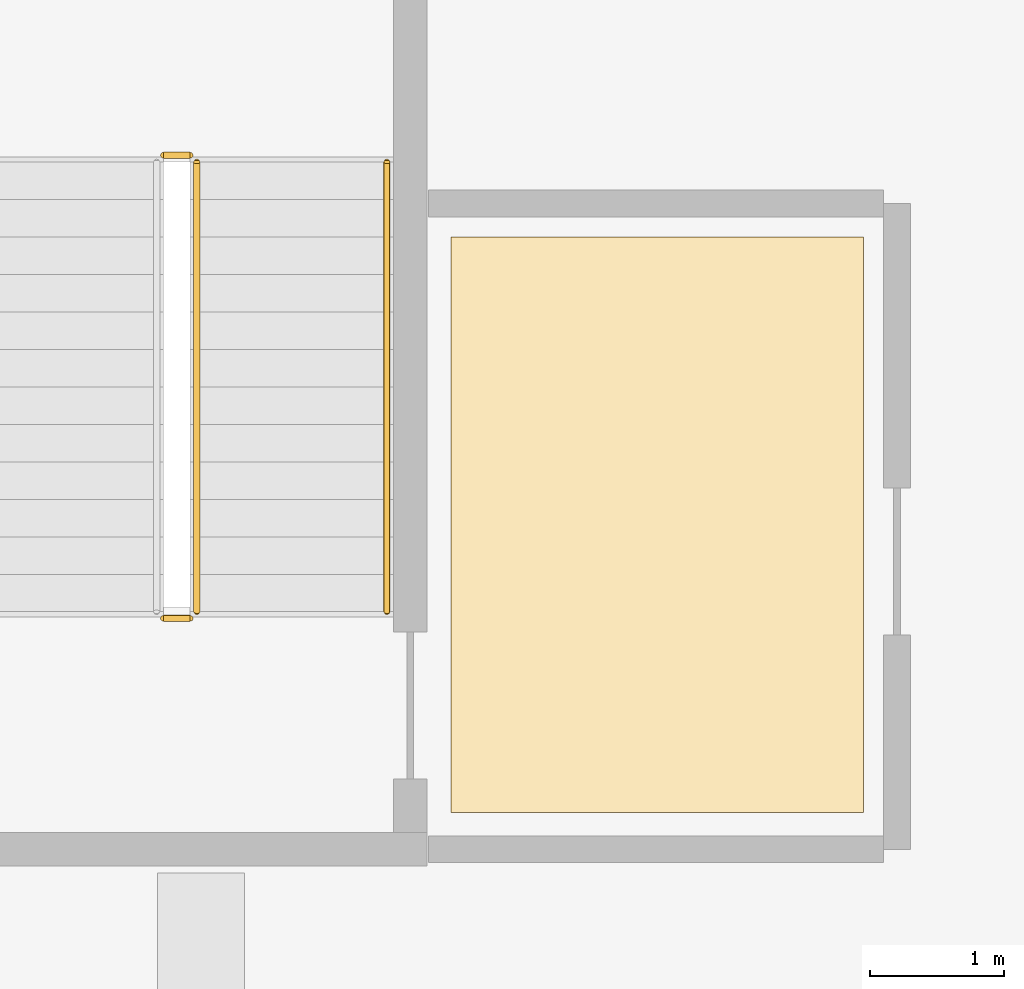
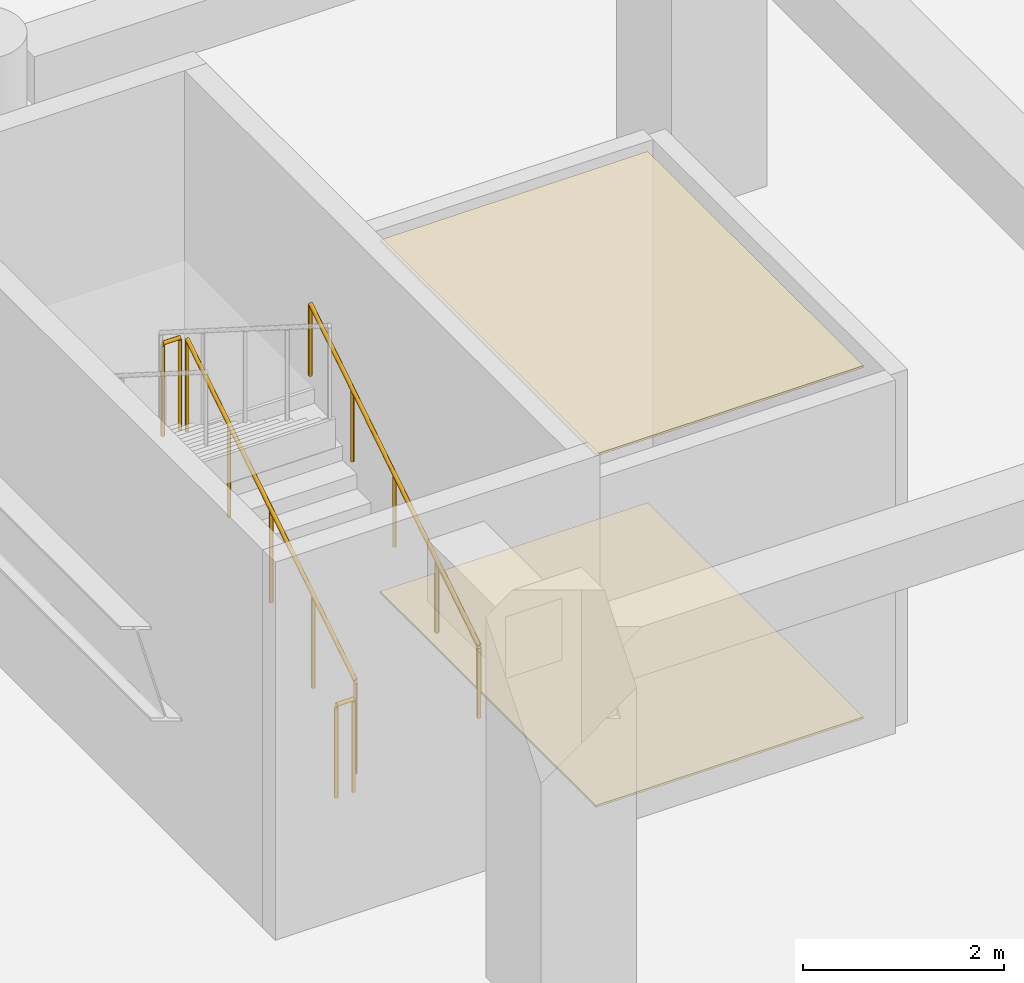
# One storey, part 41 of 45: 4 railings, 2 coverings.
"""IFC4 building model written with IfcOpenShell, lengths in metres."""

import ifcopenshell
import ifcopenshell.guid

model = None  # the IFC model being written
_history = None  # IfcOwnerHistory: only IFC2X3 demands one
_inside = {}  # id of a spatial element -> (the spatial element, [elements in it])
_under = {}  # id of a project, library or spatial element -> (it, [spatial elements below it])
_declared = {}  # id of a project -> (the project, [libraries it declares])
_typed = {}  # id of a type object -> (the type object, [elements of that type])
_made_of = {}  # id of a material, layer set ... -> (it, [elements and type objects made of it])


def new_model(schema):
    """Start an empty IFC model of exactly this schema.

    Asked for "IFC4X3", IfcOpenShell would pick the latest addendum, in which some entities
    have other attributes; the version numbers below select the first issue.
    IFC2X3 requires an IfcOwnerHistory on every rooted entity: one is made here for all.
    """
    global model, _history
    if schema == "IFC4X3":
        model = ifcopenshell.file(schema_version=(4, 3, 0, 0))
    else:
        model = ifcopenshell.file(schema=schema)
    _inside.clear()
    _under.clear()
    _declared.clear()
    _typed.clear()
    _made_of.clear()
    _history = None
    if model.schema == "IFC2X3":
        org = make("IfcOrganization", Name="unknown")
        user = make(
            "IfcPersonAndOrganization",
            ThePerson=make("IfcPerson", FamilyName="unknown"),
            TheOrganization=org,
        )
        app = make(
            "IfcApplication",
            ApplicationDeveloper=org,
            Version="unknown",
            ApplicationFullName="unknown",
            ApplicationIdentifier="unknown",
        )
        _history = make(
            "IfcOwnerHistory",
            OwningUser=user,
            OwningApplication=app,
            ChangeAction="ADDED",
            CreationDate=0,
        )
    return model


def make(cls, **values):
    """One entity of the class cls with the attributes given. An attribute that is None is left unset."""
    return model.create_entity(
        cls, **{name: value for name, value in values.items() if value is not None}
    )


def rooted(cls, **values):
    """An entity with a GlobalId (a new one), such as an element, a storey or a relation."""
    return make(cls, GlobalId=ifcopenshell.guid.new(), OwnerHistory=_history, **values)


def si_unit(unit_type, name, prefix=None):
    """IfcSIUnit, for example si_unit("LENGTHUNIT", "METRE", prefix="MILLI")."""
    return make("IfcSIUnit", UnitType=unit_type, Prefix=prefix, Name=name)


def assignment(units):
    """IfcUnitAssignment: the units of a project."""
    return None if units is None else make("IfcUnitAssignment", Units=units)


def point(xyz):
    """IfcCartesianPoint."""
    return None if xyz is None else make("IfcCartesianPoint", Coordinates=xyz)


def direction(xyz):
    """IfcDirection."""
    return None if xyz is None else make("IfcDirection", DirectionRatios=xyz)


def frame(location, z_axis=None, x_axis=None):
    """IfcAxis2Placement3D, a coordinate frame: its origin and axes. An axis left out is left unset."""
    return make(
        "IfcAxis2Placement3D",
        Location=point(location),
        Axis=direction(z_axis),
        RefDirection=direction(x_axis),
    )


def frame_2d(location, x_axis=None):
    """IfcAxis2Placement2D, a coordinate frame in the plane: its origin and x axis."""
    return make(
        "IfcAxis2Placement2D", Location=point(location), RefDirection=direction(x_axis)
    )


def origin():
    """The frame at (0, 0, 0) with its axes left unset."""
    return frame((0.0, 0.0, 0.0))


def origin_2d():
    """The frame at (0, 0) in the plane with its x axis left unset."""
    return frame_2d((0.0, 0.0))


def place(relative_to, where):
    """IfcLocalPlacement: puts the frame where relative to a parent placement (None: the world)."""
    return make(
        "IfcLocalPlacement", PlacementRelTo=relative_to, RelativePlacement=where
    )


def context(
    kind, dimensions, precision=None, world=None, true_north=None, identifier=None
):
    """IfcGeometricRepresentationContext, for example the 3D "Model" context."""
    return make(
        "IfcGeometricRepresentationContext",
        ContextIdentifier=identifier,
        ContextType=kind,
        CoordinateSpaceDimension=dimensions,
        Precision=precision,
        WorldCoordinateSystem=world,
        TrueNorth=true_north,
    )


def subcontext(parent, identifier, kind, view, scale=None):
    """IfcGeometricRepresentationSubContext, for example "Body" below "Model"."""
    return make(
        "IfcGeometricRepresentationSubContext",
        ContextIdentifier=identifier,
        ContextType=kind,
        ParentContext=parent,
        TargetScale=scale,
        TargetView=view,
    )


def project(units=None, contexts=None):
    """IfcProject with its units and contexts."""
    return rooted(
        "IfcProject",
        Name="project",
        RepresentationContexts=contexts,
        UnitsInContext=assignment(units),
    )


def spatial(cls, under=None, at=None, **own):
    """A site, building, storey or space (cls), placed at a placement, below another one or the project."""
    s = rooted(cls, ObjectPlacement=at, **own)
    if under is not None:
        _under.setdefault(under.id(), (under, []))[1].append(s)
    return s


def polyline(points):
    """IfcPolyline through the points."""
    return make("IfcPolyline", Points=[point(p) for p in points])


def profile(cls, at=None, kind="AREA", **sizes):
    """A parametric profile (cls). Its sizes go by their IFC names, for example OverallWidth=200.0."""
    return make(cls, ProfileType=kind, Position=at, **sizes)


def circle(**sizes):
    """IfcCircleProfileDef."""
    return profile("IfcCircleProfileDef", **sizes)


def outline(outer, holes=None, kind="AREA"):
    """IfcArbitraryClosedProfileDef: a profile drawn as a closed curve; with holes, ...WithVoids."""
    if holes is None:
        return make("IfcArbitraryClosedProfileDef", ProfileType=kind, OuterCurve=outer)
    return make(
        "IfcArbitraryProfileDefWithVoids",
        ProfileType=kind,
        OuterCurve=outer,
        InnerCurves=holes,
    )


def extrude(swept, where, along, depth):
    """IfcExtrudedAreaSolid: the profile swept, set in the frame where, extruded along a direction by depth."""
    return make(
        "IfcExtrudedAreaSolid",
        SweptArea=swept,
        Position=where,
        ExtrudedDirection=direction(along),
        Depth=depth,
    )


def shape(context_of_items, identifier, shape_type, items):
    """IfcShapeRepresentation: the items that make up one representation, for example the "Body"."""
    return make(
        "IfcShapeRepresentation",
        ContextOfItems=context_of_items,
        RepresentationIdentifier=identifier,
        RepresentationType=shape_type,
        Items=items,
    )


def material(Name=None, Category=None):
    """IfcMaterial."""
    return make("IfcMaterial", Name=Name, Category=Category)


def layer(
    of_material, thickness, ventilated=None, Name=None, Category=None, Priority=None
):
    """IfcMaterialLayer: one layer of a wall or slab, of a material (None: an air gap)."""
    return make(
        "IfcMaterialLayer",
        Material=of_material,
        LayerThickness=thickness,
        IsVentilated=ventilated,
        Name=Name,
        Category=Category,
        Priority=Priority,
    )


def layer_set(layers, Name=None):
    """IfcMaterialLayerSet."""
    return make("IfcMaterialLayerSet", MaterialLayers=layers, LayerSetName=Name)


def made_of(thing, what):
    """Note that an element or type object is made of a material, layer set ...; save() writes the relation."""
    if what is not None:
        _made_of.setdefault(what.id(), (what, []))[1].append(thing)
    return thing


def type_object(cls, material=None, **own):
    """A type object (cls), such as IfcWallType, which elements share."""
    return made_of(rooted(cls, **own), material)


def element(
    cls,
    number,
    at=None,
    inside=None,
    cuts=None,
    type_object=None,
    material=None,
    context=None,
    identifier="Body",
    shape_type=None,
    held_by="IfcProductDefinitionShape",
    body=None,
    shapes=None,
    **own,
):
    """One element of the class cls, such as IfcWall. Its Tag is "e" and its number.

    at: its placement. inside: the storey or other place that contains it. cuts: it is an
    opening in that element (IfcRelVoidsElement). A single representation is given by context,
    identifier, shape_type and body (its items); several are given by shapes. held_by: the class
    of the entity that holds the representations. save() writes the other relations.
    """
    e = rooted(cls, Tag="e%d" % number, ObjectPlacement=at, **own)
    if body is not None:
        shapes = [shape(context, identifier, shape_type, body)]
    if shapes is not None:
        e.Representation = make(held_by, Representations=shapes)
    if inside is not None:
        _inside.setdefault(inside.id(), (inside, []))[1].append(e)
    if cuts is not None:
        rooted(
            "IfcRelVoidsElement", RelatingBuildingElement=cuts, RelatedOpeningElement=e
        )
    if type_object is not None:
        _typed.setdefault(type_object.id(), (type_object, []))[1].append(e)
    return made_of(e, material)


def aggregate(whole, parts):
    """IfcRelAggregates: a whole, such as a stair, and the parts it consists of."""
    return rooted("IfcRelAggregates", RelatingObject=whole, RelatedObjects=parts)


def save(model, path):
    """Write the relations noted so far, then the file.

    IfcRelAggregates (storeys below a building ...), IfcRelContainedInSpatialStructure (elements
    in a storey), IfcRelDefinesByType, IfcRelAssociatesMaterial and IfcRelDeclares: one each for
    every whole, place, type object, material and project.
    """
    for whole, parts in _under.values():
        aggregate(whole, parts)
    for where, things in _inside.values():
        rooted(
            "IfcRelContainedInSpatialStructure",
            RelatedElements=things,
            RelatingStructure=where,
        )
    for kind, things in _typed.values():
        rooted("IfcRelDefinesByType", RelatedObjects=things, RelatingType=kind)
    for what, things in _made_of.values():
        rooted("IfcRelAssociatesMaterial", RelatedObjects=things, RelatingMaterial=what)
    for by, libraries in _declared.values():
        rooted("IfcRelDeclares", RelatingContext=by, RelatedDefinitions=libraries)
    model.write(path)


model = new_model("IFC4")

# Units and contexts
model_context = context("Model", 3, precision=1e-05, world=origin(), true_north=direction((0.0, 1.0)))
body_context = subcontext(model_context, "Body", "Model", "MODEL_VIEW")
ifc_project = project(units=[si_unit("LENGTHUNIT", "METRE"), si_unit("AREAUNIT", "SQUARE_METRE"), si_unit("VOLUMEUNIT", "CUBIC_METRE"), si_unit("PLANEANGLEUNIT", "RADIAN"), si_unit("MASSUNIT", "GRAM", prefix="KILO")], contexts=[model_context])

# Site, building, storey
site_placement = place(None, origin())
site = spatial("IfcSite", under=ifc_project, at=site_placement, CompositionType="ELEMENT")
building_placement = place(site_placement, origin())
building = spatial("IfcBuilding", under=site, at=building_placement, Name="Korimba Cascade Residences", CompositionType="ELEMENT")
storey_placement = place(building_placement, frame((0.0, 0.0, 5.39990234375)))
storey = spatial("IfcBuildingStorey", under=building, at=storey_placement, Name="L01", CompositionType="ELEMENT", Elevation=5.39990234375)

# Coverings
ifc_material_1 = material(Name="Perforated Acoustic Gypsum Ceiling", Category="gypsum")
ifc_layer_1 = layer(ifc_material_1, 0.02490234375)
ifc_layer_set_1 = layer_set([ifc_layer_1], Name="Perforated Acoustic Gypsum Ceiling")
covering_type_1 = type_object("IfcCoveringType", Name="COV-CLG-AC", PredefinedType="CEILING", material=ifc_layer_set_1)
covering_1_placement = place(storey_placement, frame((0.0, 0.0, 4.275146484375)))
element("IfcCovering", 1, at=covering_1_placement, inside=storey, type_object=covering_type_1, Name="L01 Suspended Acoustic Ceiling L01-PL5", PredefinedType="CEILING", context=body_context, shape_type="SweptSolid", body=[
    extrude(outline(polyline([(61.669921875, 82.14990234375), (64.75, 82.14990234375), (64.75, 86.449951171875), (61.669921875, 86.449951171875), (61.669921875, 82.14990234375)])), origin(), (0.0, 0.0, 1.0), 0.02490234375),
])
ifc_material_2 = material(Name="Honed Travertine Stone Flooring", Category="masonry")
ifc_layer_2 = layer(ifc_material_2, 0.02490234375)
ifc_layer_set_2 = layer_set([ifc_layer_2], Name="Honed Travertine Stone Flooring")
covering_type_2 = type_object("IfcCoveringType", Name="COV-FLR-STN", PredefinedType="FLOORING", material=ifc_layer_set_2)
covering_2_placement = place(storey_placement, origin())
element("IfcCovering", 2, at=covering_2_placement, inside=storey, type_object=covering_type_2, Name="L01 Honed Travertine Stone Flooring L01-PL5", PredefinedType="FLOORING", context=body_context, shape_type="SweptSolid", body=[
    extrude(outline(polyline([(61.669921875, 82.14990234375), (64.75, 82.14990234375), (64.75, 86.449951171875), (61.669921875, 86.449951171875), (61.669921875, 82.14990234375)])), origin(), (0.0, 0.0, 1.0), 0.025146484375),
])

# Railings
ifc_material_3 = material(Name="Painted Steel Stairwell Guardrail", Category="steel")
railing_type_1 = type_object("IfcRailingType", Name="RLG-ST-GD1150", PredefinedType="GUARDRAIL", material=ifc_material_3)
railing_1_placement = place(storey_placement, frame((59.77001953125, 83.64990234375, 0.177001953125)))
element("IfcRailing", 3, at=railing_1_placement, inside=storey, type_object=railing_type_1, Name="L01 ST-P5 stair guard 1", PredefinedType="GUARDRAIL", context=body_context, shape_type="SweptSolid", body=[
    extrude(circle(Radius=0.02392578125, at=origin_2d()), frame((0.0, 0.0, 1.1259765625), z_axis=(0.0, 0.845389635667, 0.534150132366), x_axis=(-1.0, 0.0, 0.0)), (0.0, 0.0, 1.0), 3.974609375),
    extrude(circle(Radius=0.02099609375, at=origin_2d()), origin(), (0.0, 0.0, 1.0), 1.101806640625),
    extrude(circle(Radius=0.02099609375, at=origin_2d()), frame((0.0, 0.840087890625, 0.53076171875)), (0.0, 0.0, 1.0), 1.101806640625),
    extrude(circle(Radius=0.02099609375, at=origin_2d()), frame((0.0, 1.68017578125, 1.0615234375)), (0.0, 0.0, 1.0), 1.101806640625),
    extrude(circle(Radius=0.02099609375, at=origin_2d()), frame((0.0, 2.52001953125, 1.59228515625)), (0.0, 0.0, 1.0), 1.101806640625),
    extrude(circle(Radius=0.02099609375, at=origin_2d()), frame((0.0, 3.360107421875, 2.123046875)), (0.0, 0.0, 1.0), 1.101806640625),
])
for number, where, name in (
    (4, (59.719970703125, 87.06005859375, 2.300048828125), "L01 ST-P5 stair guard 2"),
    (5, (59.719970703125, 83.60009765625, 0.0), "L01 ST-P5 stair guard 4"),
):
    element("IfcRailing", number, at=place(storey_placement, frame(where)), inside=storey, type_object=railing_type_1, Name=name, PredefinedType="GUARDRAIL", context=body_context, shape_type="SweptSolid", body=[
        extrude(circle(Radius=0.02392578125, at=origin_2d()), frame((0.0, 0.0, 1.1259765625), z_axis=(-1.0, 0.0, 0.0), x_axis=(0.0, -1.0, 0.0)), (0.0, 0.0, 1.0), 0.199951171875),
        extrude(circle(Radius=0.02099609375, at=origin_2d()), origin(), (0.0, 0.0, 1.0), 1.101806640625),
        extrude(circle(Radius=0.02099609375, at=origin_2d()), frame((-0.199951171875, 0.0, 0.0)), (0.0, 0.0, 1.0), 1.101806640625),
    ])
ifc_material_4 = material(Name="Brushed Stainless Steel Handrail", Category="steel")
railing_type_2 = type_object("IfcRailingType", Name="RLG-ST-HR900", PredefinedType="HANDRAIL", material=ifc_material_4)
railing_2_placement = place(storey_placement, frame((61.18994140625, 83.64990234375, 0.357666015625)))
element("IfcRailing", 6, at=railing_2_placement, inside=storey, type_object=railing_type_2, Name="L01 ST-P5 stair handrail 1", PredefinedType="HANDRAIL", context=body_context, shape_type="SweptSolid", body=[
    extrude(circle(Radius=0.02392578125, at=origin_2d()), frame((0.0, 0.0, 0.8759765625), z_axis=(0.0, 0.845389635667, 0.534150132366), x_axis=(-1.0, 0.0, 0.0)), (0.0, 0.0, 1.0), 3.974609375),
    extrude(circle(Radius=0.02099609375, at=origin_2d()), origin(), (0.0, 0.0, 1.0), 0.851806640625),
    extrude(circle(Radius=0.02099609375, at=origin_2d()), frame((0.0, 0.840087890625, 0.53076171875)), (0.0, 0.0, 1.0), 0.851806640625),
    extrude(circle(Radius=0.02099609375, at=origin_2d()), frame((0.0, 1.68017578125, 1.0615234375)), (0.0, 0.0, 1.0), 0.851806640625),
    extrude(circle(Radius=0.02099609375, at=origin_2d()), frame((0.0, 2.52001953125, 1.59228515625)), (0.0, 0.0, 1.0), 0.851806640625),
    extrude(circle(Radius=0.02099609375, at=origin_2d()), frame((0.0, 3.360107421875, 2.123046875)), (0.0, 0.0, 1.0), 0.851806640625),
])

save(model, "model.ifc")
